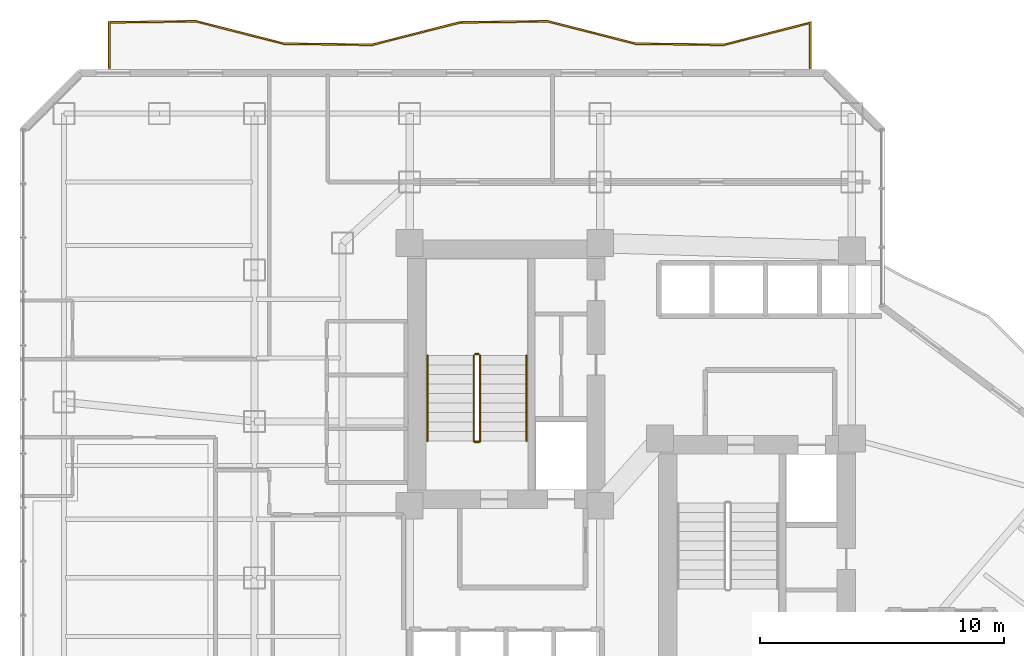
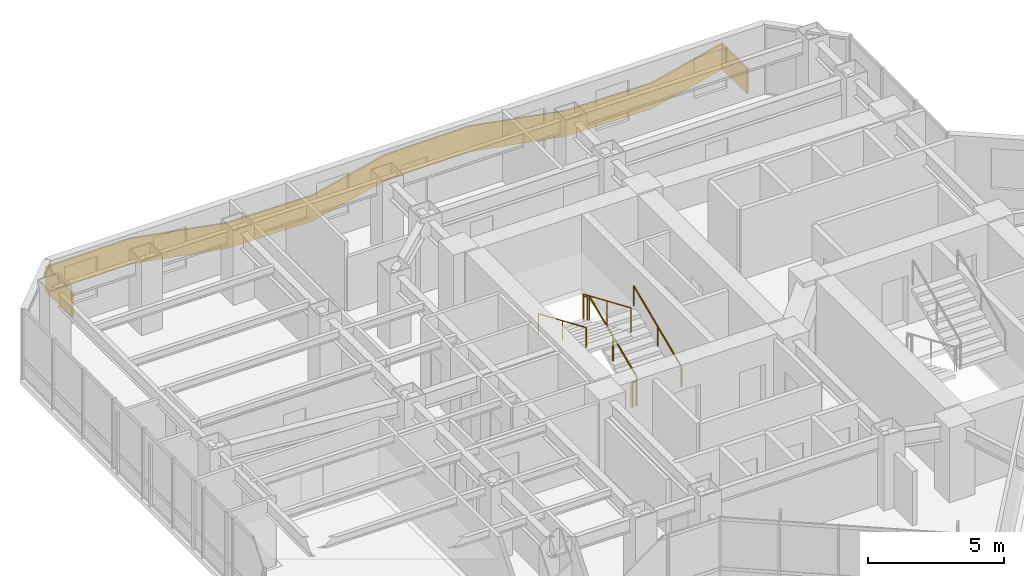
# One storey, part 35 of 36: 8 railings.
"""IFC4 building model written with IfcOpenShell, lengths in metres."""

from ifc_helpers import new_model, si_unit, direction, frame, origin, origin_2d, place, context, subcontext, project, spatial, polyline, circle, outline, extrude, material, layer, layer_set, type_object, element, save


model = new_model("IFC4")

# Units and contexts
model_context = context("Model", 3, precision=1e-05, world=origin(), true_north=direction((0.0, 1.0)))
body_context = subcontext(model_context, "Body", "Model", "MODEL_VIEW")
ifc_project = project(units=[si_unit("LENGTHUNIT", "METRE"), si_unit("AREAUNIT", "SQUARE_METRE"), si_unit("VOLUMEUNIT", "CUBIC_METRE"), si_unit("PLANEANGLEUNIT", "RADIAN"), si_unit("MASSUNIT", "GRAM", prefix="KILO")], contexts=[model_context])

# Site, building, storey
site_placement = place(None, origin())
site = spatial("IfcSite", under=ifc_project, at=site_placement, CompositionType="ELEMENT")
building_placement = place(site_placement, origin())
building = spatial("IfcBuilding", under=site, at=building_placement, Name="Hatsunagi Terrace Concourse", CompositionType="ELEMENT")
storey_placement = place(building_placement, frame((0.0, 0.0, 84.64990234375)))
storey = spatial("IfcBuildingStorey", under=building, at=storey_placement, Name="L22", CompositionType="ELEMENT", Elevation=84.64990234375)

# Railings
ifc_material_1 = material(Name="Laminated Glass and Stainless Steel Guard", Category="steel")
ifc_layer_1 = layer(ifc_material_1, 0.070068359375)
ifc_layer_set_1 = layer_set([ifc_layer_1], Name="BalconyGlassGuardRail_1150")
railing_type_1 = type_object("IfcRailingType", Name="BalconyGlassGuardRail_1150", PredefinedType="BALUSTRADE", material=ifc_layer_set_1)
railing_1_placement = place(storey_placement, origin())
element("IfcRailing", 1, at=railing_1_placement, inside=storey, type_object=railing_type_1, Name="Engawa Balcony Guard GRD-01 L22-BN-1", PredefinedType="BALUSTRADE", context=body_context, shape_type="SweptSolid", body=[
    extrude(outline(polyline([(13.215087890625, 50.449951171875), (13.284912109375, 50.449951171875), (13.284912109375, 52.301513671875), (16.789794921875, 52.347900390625), (20.388427734375, 51.43017578125), (24.01025390625, 51.3818359375), (27.611572265625, 52.300048828125), (31.189697265625, 52.347900390625), (34.788330078125, 51.43017578125), (38.41015625, 51.3818359375), (41.9150390625, 52.27587890625), (41.9150390625, 50.449951171875), (41.985107421875, 50.449951171875), (41.985107421875, 52.365966796875), (38.40185546875, 51.4521484375), (34.797607421875, 51.5), (31.1982421875, 52.418212890625), (27.602294921875, 52.369873046875), (24.001708984375, 51.4521484375), (20.397705078125, 51.5), (16.798095703125, 52.418212890625), (13.215087890625, 52.37060546875), (13.215087890625, 50.449951171875)])), origin(), (0.0, 0.0, 1.0), 1.150146484375),
])
ifc_material_2 = material(Name="Stainless steel", Category="steel")
ifc_layer_2 = layer(ifc_material_2, 0.044921875)
ifc_layer_set_2 = layer_set([ifc_layer_2], Name="StairPitchHandrail_Tower2000")
railing_type_2 = type_object("IfcRailingType", Name="StairPitchHandrail_Tower2000", PredefinedType="HANDRAIL", material=ifc_layer_set_2)
railing_2_placement = place(storey_placement, frame((30.330078125, 35.199951171875, 0.16748046875)))
element("IfcRailing", 2, at=railing_2_placement, inside=storey, type_object=railing_type_2, Name="L22 ST-A stair handrail 1", PredefinedType="HANDRAIL", context=body_context, shape_type="SweptSolid", body=[
    extrude(circle(Radius=0.02392578125, at=origin_2d()), frame((0.0, 0.0, 0.8759765625), z_axis=(0.0, 0.918834009242, 0.394644223904), x_axis=(-1.0, 0.0, 0.0)), (0.0, 0.0, 1.0), 3.820068359375),
    extrude(circle(Radius=0.02099609375, at=origin_2d()), origin(), (0.0, 0.0, 1.0), 0.851806640625),
    extrude(circle(Radius=0.02099609375, at=origin_2d()), frame((0.0, 1.7548828125, 0.75390625)), (0.0, 0.0, 1.0), 0.851806640625),
    extrude(circle(Radius=0.02099609375, at=origin_2d()), frame((0.0, 3.510009765625, 1.507568359375)), (0.0, 0.0, 1.0), 0.851806640625),
])
railing_3_placement = place(storey_placement, frame((26.280029296875, 38.7099609375, 1.842529296875)))
element("IfcRailing", 3, at=railing_3_placement, inside=storey, type_object=railing_type_2, Name="L22 ST-A stair handrail 2", PredefinedType="HANDRAIL", context=body_context, shape_type="SweptSolid", body=[
    extrude(circle(Radius=0.02392578125, at=origin_2d()), frame((0.0, 0.0, 0.8759765625), z_axis=(0.0, -0.918834009242, 0.394644223904), x_axis=(1.0, 0.0, 0.0)), (0.0, 0.0, 1.0), 3.820068359375),
    extrude(circle(Radius=0.02099609375, at=origin_2d()), origin(), (0.0, 0.0, 1.0), 0.851806640625),
    extrude(circle(Radius=0.02099609375, at=origin_2d()), frame((0.0, -1.7548828125, 0.75390625)), (0.0, 0.0, 1.0), 0.851806640625),
    extrude(circle(Radius=0.02099609375, at=origin_2d()), frame((0.0, -3.510009765625, 1.507568359375)), (0.0, 0.0, 1.0), 0.851806640625),
])
ifc_material_3 = material(Name="Stainless steel", Category="steel")
ifc_layer_3 = layer(ifc_material_3, 0.06005859375)
ifc_layer_set_3 = layer_set([ifc_layer_3], Name="StairWellGuard_Tower2000")
railing_type_3 = type_object("IfcRailingType", Name="StairWellGuard_Tower2000", PredefinedType="BALUSTRADE", material=ifc_layer_set_3)
railing_4_placement = place(storey_placement, frame((28.429931640625, 35.199951171875, 0.16748046875)))
element("IfcRailing", 4, at=railing_4_placement, inside=storey, type_object=railing_type_3, Name="L22 ST-A stair guard 1", PredefinedType="BALUSTRADE", context=body_context, shape_type="SweptSolid", body=[
    extrude(circle(Radius=0.02392578125, at=origin_2d()), frame((0.0, 0.0, 1.09619140625), z_axis=(0.0, 0.918834009242, 0.394644223904), x_axis=(-1.0, 0.0, 0.0)), (0.0, 0.0, 1.0), 3.820068359375),
    extrude(circle(Radius=0.02099609375, at=origin_2d()), origin(), (0.0, 0.0, 1.0), 1.072021484375),
    extrude(circle(Radius=0.02099609375, at=origin_2d()), frame((0.0, 1.7548828125, 0.75390625)), (0.0, 0.0, 1.0), 1.072021484375),
    extrude(circle(Radius=0.02099609375, at=origin_2d()), frame((0.0, 3.510009765625, 1.507568359375)), (0.0, 0.0, 1.0), 1.072021484375),
])
railing_5_placement = place(storey_placement, frame((28.3798828125, 38.760009765625, 1.675048828125)))
element("IfcRailing", 5, at=railing_5_placement, inside=storey, type_object=railing_type_3, Name="L22 ST-A stair guard 2", PredefinedType="BALUSTRADE", context=body_context, shape_type="SweptSolid", body=[
    extrude(circle(Radius=0.02392578125, at=origin_2d()), frame((0.0, 0.0, 1.09619140625), z_axis=(-1.0, 0.0, 0.0), x_axis=(0.0, -1.0, 0.0)), (0.0, 0.0, 1.0), 0.14990234375),
    extrude(circle(Radius=0.02099609375, at=origin_2d()), origin(), (0.0, 0.0, 1.0), 1.072021484375),
    extrude(circle(Radius=0.02099609375, at=origin_2d()), frame((-0.14990234375, 0.0, 0.0)), (0.0, 0.0, 1.0), 1.072021484375),
])
railing_6_placement = place(storey_placement, frame((28.179931640625, 38.7099609375, 1.842529296875)))
element("IfcRailing", 6, at=railing_6_placement, inside=storey, type_object=railing_type_3, Name="L22 ST-A stair guard 3", PredefinedType="BALUSTRADE", context=body_context, shape_type="SweptSolid", body=[
    extrude(circle(Radius=0.02392578125, at=origin_2d()), frame((0.0, 0.0, 1.09619140625), z_axis=(0.0, -0.918834009242, 0.394644223904), x_axis=(1.0, 0.0, 0.0)), (0.0, 0.0, 1.0), 3.820068359375),
    extrude(circle(Radius=0.02099609375, at=origin_2d()), origin(), (0.0, 0.0, 1.0), 1.072021484375),
    extrude(circle(Radius=0.02099609375, at=origin_2d()), frame((0.0, -1.7548828125, 0.75390625)), (0.0, 0.0, 1.0), 1.072021484375),
    extrude(circle(Radius=0.02099609375, at=origin_2d()), frame((0.0, -3.510009765625, 1.507568359375)), (0.0, 0.0, 1.0), 1.072021484375),
])
railing_7_placement = place(storey_placement, frame((28.3798828125, 35.14990234375, 0.0)))
element("IfcRailing", 7, at=railing_7_placement, inside=storey, type_object=railing_type_3, Name="L22 ST-A stair guard 4", PredefinedType="BALUSTRADE", context=body_context, shape_type="SweptSolid", body=[
    extrude(circle(Radius=0.02392578125, at=origin_2d()), frame((0.0, 0.0, 1.09619140625), z_axis=(-1.0, 0.0, 0.0), x_axis=(0.0, -1.0, 0.0)), (0.0, 0.0, 1.0), 0.14990234375),
    extrude(circle(Radius=0.02099609375, at=origin_2d()), origin(), (0.0, 0.0, 1.0), 1.072021484375),
    extrude(circle(Radius=0.02099609375, at=origin_2d()), frame((-0.14990234375, 0.0, 0.0)), (0.0, 0.0, 1.0), 1.072021484375),
])
ifc_material_4 = material(Name="Stainless Steel SUS316 Post-and-Rail Guard", Category="steel")
ifc_layer_4 = layer(ifc_material_4, 0.080078125)
ifc_layer_set_4 = layer_set([ifc_layer_4], Name="TerracePlantedGuardRail_1200")
railing_type_4 = type_object("IfcRailingType", Name="TerracePlantedGuardRail_1200", PredefinedType="GUARDRAIL", material=ifc_layer_set_4)
railing_8_placement = place(storey_placement, frame((28.179931640625, 35.179931640625, 0.0)))
element("IfcRailing", 8, at=railing_8_placement, inside=storey, type_object=railing_type_4, Name="Stair ST-A Well Closure Guard L22", PredefinedType="GUARDRAIL", context=body_context, shape_type="SweptSolid", body=[
    extrude(circle(Radius=0.02392578125, at=origin_2d()), frame((0.0, 0.0, 1.09619140625), z_axis=(1.0, 0.0, 0.0), x_axis=(0.0, 1.0, 0.0)), (0.0, 0.0, 1.0), 0.25),
    extrude(circle(Radius=0.02099609375, at=origin_2d()), origin(), (0.0, 0.0, 1.0), 1.072021484375),
    extrude(circle(Radius=0.02099609375, at=origin_2d()), frame((0.25, 0.0, 0.0)), (0.0, 0.0, 1.0), 1.072021484375),
])

save(model, "model.ifc")
